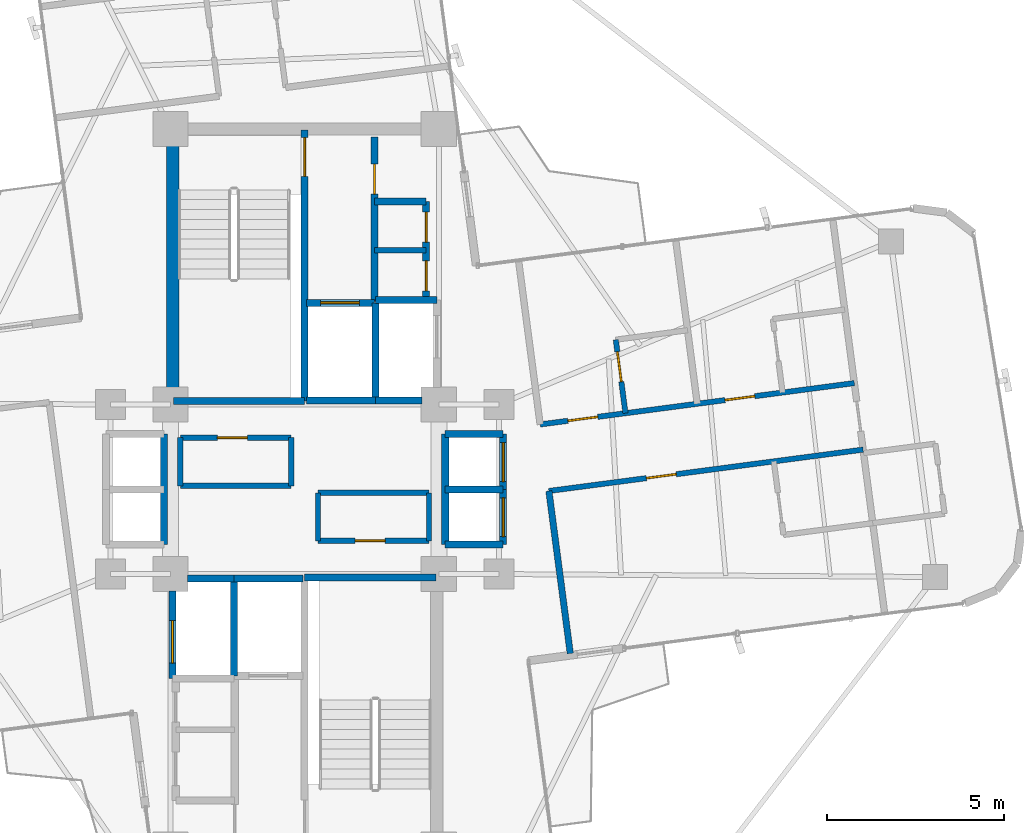
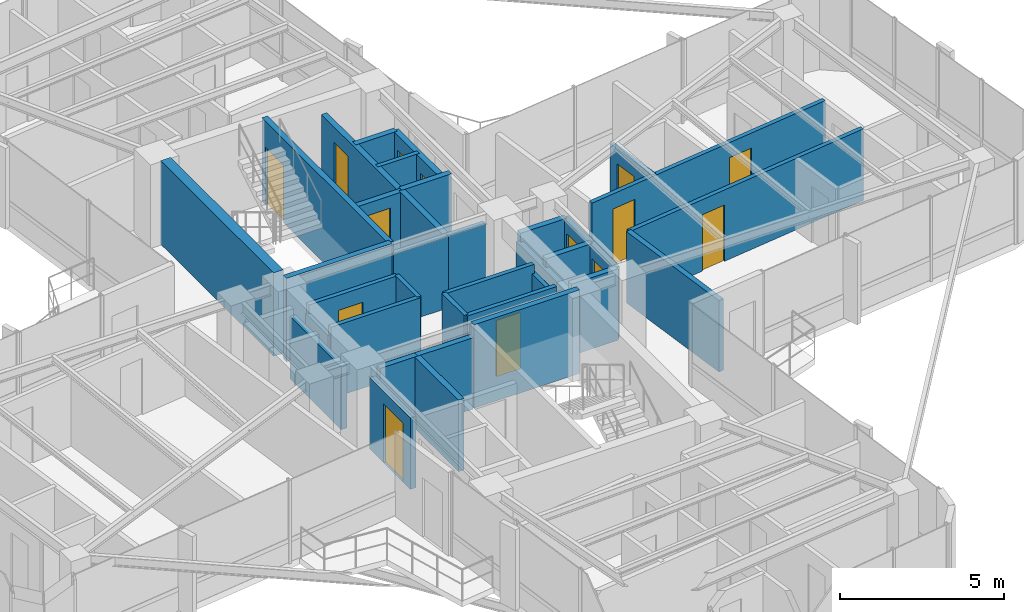
# One storey, part 19 of 22: 36 walls, 14 doors, 14 openings.
"""IFC4 building model written with IfcOpenShell, lengths in metres."""

from ifc_helpers import new_model, si_unit, direction, frame, frame_2d, origin, origin_2d, place, context, subcontext, project, spatial, rectangle, extrude, source, transform, mapped, material, layer, layer_set, type_object, element, fill, save


model = new_model("IFC4")

# Units and contexts
model_context = context("Model", 3, precision=1e-05, world=origin(), true_north=direction((0.0, 1.0)))
body_context = subcontext(model_context, "Body", "Model", "MODEL_VIEW")
ifc_project = project(units=[si_unit("LENGTHUNIT", "METRE"), si_unit("AREAUNIT", "SQUARE_METRE"), si_unit("VOLUMEUNIT", "CUBIC_METRE"), si_unit("PLANEANGLEUNIT", "RADIAN"), si_unit("MASSUNIT", "GRAM", prefix="KILO")], contexts=[model_context])

# Site, building, storey
site_placement = place(None, origin())
site = spatial("IfcSite", under=ifc_project, at=site_placement, CompositionType="ELEMENT")
building_placement = place(site_placement, origin())
building = spatial("IfcBuilding", under=site, at=building_placement, Name="Sahyath Konkavel Grand Hotel", CompositionType="ELEMENT")
storey_placement = place(building_placement, frame((0.0, 0.0, 223.25)))
storey = spatial("IfcBuildingStorey", under=building, at=storey_placement, Name="L62", CompositionType="ELEMENT", Elevation=223.25)

# Wall
ifc_material_1 = material(Name="Concrete C40/50", Category="concrete")
ifc_layer_1 = layer(ifc_material_1, 0.35009765625)
ifc_layer_set_1 = layer_set([ifc_layer_1], Name="Concrete C40/50")
wall_type_1 = type_object("IfcWallType", Name="CWALL-350", PredefinedType="SHEAR", material=ifc_layer_set_1)
wall_1_placement = place(storey_placement, frame((-3.739990234375, 2.85009765625, 0.0), z_axis=(0.0, 0.0, 1.0), x_axis=(0.0, 1.0, 0.0)))
element("IfcWall", 1, at=wall_1_placement, inside=storey, type_object=wall_type_1, Name="L62 North Core Shear Wall W", PredefinedType="SHEAR", context=body_context, shape_type="SweptSolid", body=[
    extrude(rectangle(XDim=6.89990234375, YDim=0.35009765625, at=frame_2d((3.449951171875, 0.0))), origin(), (0.0, 0.0, 1.0), 3.110107421875),
])

# Wall, opening, door
ifc_layer_2 = layer(ifc_material_1, 0.199951171875)
ifc_layer_set_2 = layer_set([ifc_layer_2], Name="Concrete C40/50")
wall_type_2 = type_object("IfcWallType", Name="WLL-CORE-200", PredefinedType="SOLIDWALL", material=ifc_layer_set_2)
wall_2_placement = place(storey_placement, frame((0.0, 2.5, 0.0), z_axis=(0.0, 0.0, 1.0), x_axis=(0.0, 1.0, 0.0)))
wall_2 = element("IfcWall", 2, at=wall_2_placement, inside=storey, type_object=wall_type_2, Name="L62 Stair ST-1 Shaft Wall E", PredefinedType="SOLIDWALL", context=body_context, shape_type="SweptSolid", body=[
    extrude(rectangle(XDim=7.679931640625, YDim=0.199951171875, at=frame_2d((3.83984375, 0.0))), origin(), (0.0, 0.0, 1.0), 3.110107421875),
])
opening_1_placement = place(wall_2_placement, frame((6.360107421875, 0.0, 0.0)))
opening_1 = element("IfcOpeningElement", 3, at=opening_1_placement, cuts=wall_2, Name="Opening D-F12B", PredefinedType="OPENING", context=body_context, shape_type="SweptSolid", body=[
    extrude(rectangle(XDim=1.10009765625, YDim=2.14990234375, at=frame_2d((0.550048828125, 1.074951171875))), frame((0.0, 0.10986328125, 0.0), z_axis=(0.0, -1.0, 0.0), x_axis=(1.0, 0.0, 0.0)), (0.0, 0.0, 1.0), 0.219970703125),
])
ifc_material_2 = material(Name="Steel E350 Smokeproof Fire Door", Category="steel")
door_type_1 = type_object("IfcDoorType", Name="DR-FD120-1100", OperationType="NOTDEFINED", PredefinedType="DOOR", material=ifc_material_2)
shared_shape_1 = source(origin(), body_context, "Body", "SweptSolid", [
    extrude(rectangle(XDim=1.10009765625, YDim=0.050048828125, at=origin_2d()), origin(), (0.0, 0.0, 1.0), 2.14990234375),
])
door_1_placement = place(opening_1_placement, frame((0.550048828125, 0.0, 0.0)))
door_1 = element("IfcDoor", 4, at=door_1_placement, inside=storey, type_object=door_type_1, Name="L62 Stair ST-1 Fire Door", OperationType="SINGLE_SWING_RIGHT", OverallHeight=2.14990234375, OverallWidth=1.10009765625, PredefinedType="DOOR", context=body_context, shape_type="MappedRepresentation", body=[
    mapped(shared_shape_1, transform((0.0, 0.0, 0.0), scale=1.0)),
])
fill(opening_1, door_1)

# Walls
for number, where, z_axis, x_axis, name in (
    (5, (-3.719970703125, 2.5, 0.0), (0.0, 0.0, 1.0), (1.0, 0.0, 0.0), "L62 Stair ST-1 Shaft Wall S"),
    (6, (0.0, -2.5, 0.0), (0.0, 0.0, 1.0), (1.0, 0.0, 0.0), "L62 Stair ST-2 Shaft Wall N"),
):
    element("IfcWall", number, at=place(storey_placement, frame(where, z_axis=z_axis, x_axis=x_axis)), inside=storey, type_object=wall_type_2, Name=name, PredefinedType="SOLIDWALL", context=body_context, shape_type="SweptSolid", body=[
        extrude(rectangle(XDim=3.719970703125, YDim=0.199951171875, at=frame_2d((1.85986328125, 0.0))), origin(), (0.0, 0.0, 1.0), 3.110107421875),
    ])

# Wall, opening, door
wall_3_placement = place(storey_placement, frame((1.97998046875, 5.320068359375, 0.0), z_axis=(0.0, 0.0, 1.0), x_axis=(0.0, 1.0, 0.0)))
wall_3 = element("IfcWall", 7, at=wall_3_placement, inside=storey, type_object=wall_type_2, Name="L62 North Firefighting Lobby Wall E", PredefinedType="SOLIDWALL", context=body_context, shape_type="SweptSolid", body=[
    extrude(rectangle(XDim=4.659912109375, YDim=0.199951171875, at=frame_2d((2.330078125, 0.0))), origin(), (0.0, 0.0, 1.0), 2.659912109375),
])
opening_2_placement = place(wall_3_placement, frame((3.0400390625, 0.0, 0.0)))
opening_2 = element("IfcOpeningElement", 8, at=opening_2_placement, cuts=wall_3, Name="Opening D-F12D", PredefinedType="OPENING", context=body_context, shape_type="SweptSolid", body=[
    extrude(rectangle(XDim=0.85009765625, YDim=2.10009765625, at=frame_2d((0.425048828125, 1.050048828125))), frame((0.0, 0.10986328125, 0.0), z_axis=(0.0, -1.0, 0.0), x_axis=(1.0, 0.0, 0.0)), (0.0, 0.0, 1.0), 0.219970703125),
])
ifc_material_3 = material(Name="Steel E350 Core Fire Door", Category="steel")
door_type_2 = type_object("IfcDoorType", Name="DR-FD120-850", OperationType="NOTDEFINED", PredefinedType="DOOR", material=ifc_material_3)
shared_shape_2 = source(origin(), body_context, "Body", "SweptSolid", [
    extrude(rectangle(XDim=0.85009765625, YDim=0.050048828125, at=origin_2d()), origin(), (0.0, 0.0, 1.0), 2.10009765625),
])
door_2_placement = place(opening_2_placement, frame((0.425048828125, 0.0, 0.0)))
door_2 = element("IfcDoor", 9, at=door_2_placement, inside=storey, type_object=door_type_2, Name="L62 North Firefighting Lobby Door", OperationType="SINGLE_SWING_RIGHT", OverallHeight=2.10009765625, OverallWidth=0.85009765625, PredefinedType="DOOR", context=body_context, shape_type="MappedRepresentation", body=[
    mapped(shared_shape_2, transform((0.0, 0.0, 0.0), scale=1.0)),
])
fill(opening_2, door_2)

# Walls
wall_4_placement = place(storey_placement, frame((2.0, 2.5, 0.0), z_axis=(0.0, 0.0, 1.0), x_axis=(0.0, 1.0, 0.0)))
element("IfcWall", 10, at=wall_4_placement, inside=storey, type_object=wall_type_2, Name="L62 Partition SH-FFL1-E", PredefinedType="SOLIDWALL", context=body_context, shape_type="SweptSolid", body=[
    extrude(rectangle(XDim=2.780029296875, YDim=0.199951171875, at=frame_2d((1.39013671875, 0.0))), origin(), (0.0, 0.0, 1.0), 2.659912109375),
])
wall_5_placement = place(storey_placement, frame((0.050048828125, 2.52001953125, 0.0), z_axis=(0.0, 0.0, 1.0), x_axis=(1.0, 0.0, 0.0)))
element("IfcWall", 11, at=wall_5_placement, inside=storey, type_object=wall_type_2, Name="L62 Partition SH-FFL1-S", PredefinedType="SOLIDWALL", context=body_context, shape_type="SweptSolid", body=[
    extrude(rectangle(XDim=1.949951171875, YDim=0.199951171875, at=frame_2d((0.97509765625, 0.0))), origin(), (0.0, 0.0, 1.0), 2.659912109375),
])

# Wall, opening, door
wall_6_placement = place(storey_placement, frame((0.050048828125, 5.280029296875, 0.0), z_axis=(0.0, 0.0, 1.0), x_axis=(1.0, 0.0, 0.0)))
wall_6 = element("IfcWall", 12, at=wall_6_placement, inside=storey, type_object=wall_type_2, Name="L62 Partition SH-FFL1-N", PredefinedType="SOLIDWALL", context=body_context, shape_type="SweptSolid", body=[
    extrude(rectangle(XDim=1.929931640625, YDim=0.199951171875, at=frame_2d((0.96484375, 0.0))), origin(), (0.0, 0.0, 1.0), 2.659912109375),
])
opening_3_placement = place(wall_6_placement, frame((0.39990234375, 0.0, 0.0)))
opening_3 = element("IfcOpeningElement", 13, at=opening_3_placement, cuts=wall_6, Name="Opening LD-11", PredefinedType="OPENING", context=body_context, shape_type="SweptSolid", body=[
    extrude(rectangle(XDim=1.10009765625, YDim=2.199951171875, at=frame_2d((0.550048828125, 1.10009765625))), frame((0.0, 0.10986328125, 0.0), z_axis=(0.0, -1.0, 0.0), x_axis=(1.0, 0.0, 0.0)), (0.0, 0.0, 1.0), 0.219970703125),
])
ifc_material_4 = material(Name="Bronze Lift Landing Door 1100")
door_type_3 = type_object("IfcDoorType", Name="DR-LIFT-1100", OperationType="DOUBLE_DOOR_SLIDING", PredefinedType="DOOR", material=ifc_material_4)
shared_shape_3 = source(origin(), body_context, "Body", "SweptSolid", [
    extrude(rectangle(XDim=1.10009765625, YDim=0.050048828125, at=origin_2d()), origin(), (0.0, 0.0, 1.0), 2.199951171875),
])
door_3_placement = place(opening_3_placement, frame((0.550048828125, 0.0, 0.0)))
door_3 = element("IfcDoor", 14, at=door_3_placement, inside=storey, type_object=door_type_3, Name="L62 Lift FFL-1 Landing Door", OperationType="DOUBLE_DOOR_SLIDING", OverallHeight=2.199951171875, OverallWidth=1.10009765625, PredefinedType="DOOR", context=body_context, shape_type="MappedRepresentation", body=[
    mapped(shared_shape_3, transform((0.0, 0.0, 0.0), scale=1.0)),
])
fill(opening_3, door_3)

# Walls
wall_7_placement = place(storey_placement, frame((-2.0, -5.280029296875, 0.0), z_axis=(0.0, 0.0, 1.0), x_axis=(0.0, 1.0, 0.0)))
element("IfcWall", 15, at=wall_7_placement, inside=storey, type_object=wall_type_2, Name="L62 Partition SH-FFL2-W", PredefinedType="SOLIDWALL", context=body_context, shape_type="SweptSolid", body=[
    extrude(rectangle(XDim=2.780029296875, YDim=0.199951171875, at=frame_2d((1.39013671875, 0.0))), origin(), (0.0, 0.0, 1.0), 2.659912109375),
])
wall_8_placement = place(storey_placement, frame((-2.0, -2.52001953125, 0.0), z_axis=(0.0, 0.0, 1.0), x_axis=(1.0, 0.0, 0.0)))
element("IfcWall", 16, at=wall_8_placement, inside=storey, type_object=wall_type_2, Name="L62 Partition SH-FFL2-N", PredefinedType="SOLIDWALL", context=body_context, shape_type="SweptSolid", body=[
    extrude(rectangle(XDim=1.949951171875, YDim=0.199951171875, at=frame_2d((0.97509765625, 0.0))), origin(), (0.0, 0.0, 1.0), 2.659912109375),
])
wall_9_placement = place(storey_placement, frame((2.0, 2.52001953125, 0.0), z_axis=(0.0, 0.0, 1.0), x_axis=(1.0, 0.0, 0.0)))
element("IfcWall", 17, at=wall_9_placement, inside=storey, type_object=wall_type_2, Name="L62 Partition SH-SVL1-S", PredefinedType="SOLIDWALL", context=body_context, shape_type="SweptSolid", body=[
    extrude(rectangle(XDim=1.320068359375, YDim=0.199951171875, at=frame_2d((0.66015625, 0.0))), origin(), (0.0, 0.0, 1.0), 2.659912109375),
])
wall_10_placement = place(storey_placement, frame((2.0, 5.360107421875, 0.0), z_axis=(0.0, 0.0, 1.0), x_axis=(1.0, 0.0, 0.0)))
element("IfcWall", 18, at=wall_10_placement, inside=storey, type_object=wall_type_2, Name="L62 Partition SH-SVL1-N", PredefinedType="SOLIDWALL", context=body_context, shape_type="SweptSolid", body=[
    extrude(rectangle(XDim=1.739990234375, YDim=0.199951171875, at=frame_2d((0.8701171875, 0.0))), origin(), (0.0, 0.0, 1.0), 2.659912109375),
])
wall_11_placement = place(storey_placement, frame((-3.320068359375, -2.52001953125, 0.0), z_axis=(0.0, 0.0, 1.0), x_axis=(1.0, 0.0, 0.0)))
element("IfcWall", 19, at=wall_11_placement, inside=storey, type_object=wall_type_2, Name="L62 Partition SH-SVL2-N", PredefinedType="SOLIDWALL", context=body_context, shape_type="SweptSolid", body=[
    extrude(rectangle(XDim=1.320068359375, YDim=0.199951171875, at=frame_2d((0.66015625, 0.0))), origin(), (0.0, 0.0, 1.0), 2.659912109375),
])

# Wall, opening, door
wall_12_placement = place(storey_placement, frame((-3.739990234375, -5.360107421875, 0.0), z_axis=(0.0, 0.0, 1.0), x_axis=(0.0, 1.0, 0.0)))
wall_12 = element("IfcWall", 20, at=wall_12_placement, inside=storey, type_object=wall_type_2, Name="L62 Partition SH-SVL2-W", PredefinedType="SOLIDWALL", context=body_context, shape_type="SweptSolid", body=[
    extrude(rectangle(XDim=2.480224609375, YDim=0.199951171875, at=frame_2d((1.240234375, 0.0))), origin(), (0.0, 0.0, 1.0), 2.659912109375),
])
opening_4_placement = place(wall_12_placement, frame((0.43994140625, 0.0, 0.0)))
opening_4 = element("IfcOpeningElement", 21, at=opening_4_placement, cuts=wall_12, Name="Opening LD-12", PredefinedType="OPENING", context=body_context, shape_type="SweptSolid", body=[
    extrude(rectangle(XDim=1.199951171875, YDim=2.199951171875, at=frame_2d((0.60009765625, 1.10009765625))), frame((0.0, 0.10986328125, 0.0), z_axis=(0.0, -1.0, 0.0), x_axis=(1.0, 0.0, 0.0)), (0.0, 0.0, 1.0), 0.219970703125),
])
ifc_material_5 = material(Name="Stainless Steel Lift Landing Door 1200", Category="steel")
door_type_4 = type_object("IfcDoorType", Name="DR-LIFT-1200", OperationType="DOUBLE_DOOR_SLIDING", PredefinedType="DOOR", material=ifc_material_5)
shared_shape_4 = source(origin(), body_context, "Body", "SweptSolid", [
    extrude(rectangle(XDim=1.199951171875, YDim=0.050048828125, at=origin_2d()), origin(), (0.0, 0.0, 1.0), 2.199951171875),
])
door_4_placement = place(opening_4_placement, frame((0.60009765625, 0.0, 0.0)))
door_4 = element("IfcDoor", 22, at=door_4_placement, inside=storey, type_object=door_type_4, Name="L62 Service Lift SVL-2 Landing Door", OperationType="DOUBLE_DOOR_SLIDING", OverallHeight=2.199951171875, OverallWidth=1.199951171875, PredefinedType="DOOR", context=body_context, shape_type="MappedRepresentation", body=[
    mapped(shared_shape_4, transform((0.0, 0.0, 0.0), scale=1.0)),
])
fill(opening_4, door_4)

# Walls
wall_13_placement = place(storey_placement, frame((3.97998046875, -1.56005859375, 0.0), z_axis=(0.0, 0.0, 1.0), x_axis=(0.0, 1.0, 0.0)))
element("IfcWall", 23, at=wall_13_placement, inside=storey, type_object=wall_type_2, Name="L62 Partition SH-PL56-W", PredefinedType="SOLIDWALL", context=body_context, shape_type="SweptSolid", body=[
    extrude(rectangle(XDim=3.1201171875, YDim=0.199951171875, at=frame_2d((1.56005859375, 0.0))), origin(), (0.0, 0.0, 1.0), 2.330078125),
])
for number, where, z_axis, x_axis, name in (
    (24, (3.97998046875, 1.56005859375, 0.0), (0.0, 0.0, 1.0), (1.0, 0.0, 0.0), "L62 Partition SH-PL56-N"),
    (25, (3.97998046875, -1.56005859375, 0.0), (0.0, 0.0, 1.0), (1.0, 0.0, 0.0), "L62 Partition SH-PL56-S"),
    (26, (3.97998046875, 0.0, 0.0), (0.0, 0.0, 1.0), (1.0, 0.0, 0.0), "L62 Partition SH-PL56-M"),
):
    element("IfcWall", number, at=place(storey_placement, frame(where, z_axis=z_axis, x_axis=x_axis)), inside=storey, type_object=wall_type_2, Name=name, PredefinedType="SOLIDWALL", context=body_context, shape_type="SweptSolid", body=[
        extrude(rectangle(XDim=1.64013671875, YDim=0.199951171875, at=frame_2d((0.820068359375, 0.0))), origin(), (0.0, 0.0, 1.0), 2.659912109375),
    ])

# Wall, opening, door
wall_14_placement = place(storey_placement, frame((5.6201171875, 0.0, 0.0), z_axis=(0.0, 0.0, 1.0), x_axis=(0.0, 1.0, 0.0)))
wall_14 = element("IfcWall", 27, at=wall_14_placement, inside=storey, type_object=wall_type_2, Name="L62 Partition SH-PL5-E", PredefinedType="SOLIDWALL", context=body_context, shape_type="SweptSolid", body=[
    extrude(rectangle(XDim=1.56005859375, YDim=0.199951171875, at=frame_2d((0.780029296875, 0.0))), origin(), (0.0, 0.0, 1.0), 2.659912109375),
])
opening_5_placement = place(wall_14_placement, frame((0.219970703125, 0.0, 0.0)))
opening_5 = element("IfcOpeningElement", 28, at=opening_5_placement, cuts=wall_14, Name="Opening LD-11", PredefinedType="OPENING", context=body_context, shape_type="SweptSolid", body=[
    extrude(rectangle(XDim=1.10009765625, YDim=2.199951171875, at=frame_2d((0.550048828125, 1.10009765625))), frame((0.0, 0.10986328125, 0.0), z_axis=(0.0, -1.0, 0.0), x_axis=(1.0, 0.0, 0.0)), (0.0, 0.0, 1.0), 0.219970703125),
])
door_5_placement = place(opening_5_placement, frame((0.550048828125, 0.0, 0.0)))
door_5 = element("IfcDoor", 29, at=door_5_placement, inside=storey, type_object=door_type_3, Name="L62 High-Rise Lift PL-5 Landing Door", OperationType="DOUBLE_DOOR_SLIDING", OverallHeight=2.199951171875, OverallWidth=1.10009765625, PredefinedType="DOOR", context=body_context, shape_type="MappedRepresentation", body=[
    mapped(shared_shape_3, transform((0.0, 0.0, 0.0), scale=1.0)),
])
fill(opening_5, door_5)

wall_15_placement = place(storey_placement, frame((5.6201171875, -1.56005859375, 0.0), z_axis=(0.0, 0.0, 1.0), x_axis=(0.0, 1.0, 0.0)))
wall_15 = element("IfcWall", 30, at=wall_15_placement, inside=storey, type_object=wall_type_2, Name="L62 Partition SH-PL6-E", PredefinedType="SOLIDWALL", context=body_context, shape_type="SweptSolid", body=[
    extrude(rectangle(XDim=1.56005859375, YDim=0.199951171875, at=frame_2d((0.780029296875, 0.0))), origin(), (0.0, 0.0, 1.0), 2.659912109375),
])
opening_6_placement = place(wall_15_placement, frame((0.219970703125, 0.0, 0.0)))
opening_6 = element("IfcOpeningElement", 31, at=opening_6_placement, cuts=wall_15, Name="Opening LD-11", PredefinedType="OPENING", context=body_context, shape_type="SweptSolid", body=[
    extrude(rectangle(XDim=1.10009765625, YDim=2.199951171875, at=frame_2d((0.550048828125, 1.10009765625))), frame((0.0, 0.10986328125, 0.0), z_axis=(0.0, -1.0, 0.0), x_axis=(1.0, 0.0, 0.0)), (0.0, 0.0, 1.0), 0.219970703125),
])
door_6_placement = place(opening_6_placement, frame((0.550048828125, 0.0, 0.0)))
door_6 = element("IfcDoor", 32, at=door_6_placement, inside=storey, type_object=door_type_3, Name="L62 High-Rise Lift PL-6 Landing Door", OperationType="DOUBLE_DOOR_SLIDING", OverallHeight=2.199951171875, OverallWidth=1.10009765625, PredefinedType="DOOR", context=body_context, shape_type="MappedRepresentation", body=[
    mapped(shared_shape_3, transform((0.0, 0.0, 0.0), scale=1.0)),
])
fill(opening_6, door_6)

# Wall
wall_16_placement = place(storey_placement, frame((-3.97998046875, -1.56005859375, 0.0), z_axis=(0.0, 0.0, 1.0), x_axis=(0.0, 1.0, 0.0)))
element("IfcWall", 33, at=wall_16_placement, inside=storey, type_object=wall_type_2, Name="L62 Partition SH-SL12-E", PredefinedType="SOLIDWALL", context=body_context, shape_type="SweptSolid", body=[
    extrude(rectangle(XDim=3.1201171875, YDim=0.199951171875, at=frame_2d((1.56005859375, 0.0))), origin(), (0.0, 0.0, 1.0), 2.330078125),
])

# Wall, openings, doors
wall_17_placement = place(storey_placement, frame((3.43994140625, 5.3798828125, 0.0), z_axis=(0.0, 0.0, 1.0), x_axis=(0.0, 1.0, 0.0)))
wall_17 = element("IfcWall", 34, at=wall_17_placement, inside=storey, type_object=wall_type_2, Name="L62 Reclaimed North Core Wall E", PredefinedType="SOLIDWALL", context=body_context, shape_type="SweptSolid", body=[
    extrude(rectangle(XDim=2.77001953125, YDim=0.199951171875, at=frame_2d((1.385009765625, 0.0))), origin(), (0.0, 0.0, 1.0), 2.659912109375),
])
opening_7_placement = place(wall_17_placement, frame((0.239990234375, 0.0, 0.0)))
opening_7 = element("IfcOpeningElement", 35, at=opening_7_placement, cuts=wall_17, Name="Opening D-F06D", PredefinedType="OPENING", context=body_context, shape_type="SweptSolid", body=[
    extrude(rectangle(XDim=0.85009765625, YDim=2.10009765625, at=frame_2d((0.425048828125, 1.050048828125))), frame((0.0, 0.10986328125, 0.0), z_axis=(0.0, -1.0, 0.0), x_axis=(1.0, 0.0, 0.0)), (0.0, 0.0, 1.0), 0.219970703125),
])
opening_8_placement = place(wall_17_placement, frame((1.6201171875, 0.0, 0.0)))
opening_8 = element("IfcOpeningElement", 36, at=opening_8_placement, cuts=wall_17, Name="Opening D-F06D", PredefinedType="OPENING", context=body_context, shape_type="SweptSolid", body=[
    extrude(rectangle(XDim=0.85009765625, YDim=2.10009765625, at=frame_2d((0.425048828125, 1.050048828125))), frame((0.0, 0.10986328125, 0.0), z_axis=(0.0, -1.0, 0.0), x_axis=(1.0, 0.0, 0.0)), (0.0, 0.0, 1.0), 0.219970703125),
])
ifc_material_6 = material(Name="Fire-Rated Shaft Access Door")
door_type_5 = type_object("IfcDoorType", Name="DR-FD60-850", OperationType="NOTDEFINED", PredefinedType="DOOR", material=ifc_material_6)
door_7_placement = place(opening_7_placement, frame((0.425048828125, 0.0, 0.0)))
door_7 = element("IfcDoor", 37, at=door_7_placement, inside=storey, type_object=door_type_5, Name="L62 Door NC-REC1-D", OperationType="SINGLE_SWING_RIGHT", OverallHeight=2.10009765625, OverallWidth=0.85009765625, PredefinedType="DOOR", context=body_context, shape_type="MappedRepresentation", body=[
    mapped(shared_shape_2, transform((0.0, 0.0, 0.0), scale=1.0)),
])
fill(opening_7, door_7)
door_8_placement = place(opening_8_placement, frame((0.425048828125, 0.0, 0.0)))
door_8 = element("IfcDoor", 38, at=door_8_placement, inside=storey, type_object=door_type_5, Name="L62 Door NC-REC2-D", OperationType="SINGLE_SWING_LEFT", OverallHeight=2.10009765625, OverallWidth=0.85009765625, PredefinedType="DOOR", context=body_context, shape_type="MappedRepresentation", body=[
    mapped(shared_shape_2, transform((0.0, 0.0, 0.0), scale=1.0)),
])
fill(opening_8, door_8)

# Walls
wall_18_placement = place(storey_placement, frame((1.97998046875, 8.14990234375, 0.0), z_axis=(0.0, 0.0, 1.0), x_axis=(1.0, 0.0, 0.0)))
element("IfcWall", 39, at=wall_18_placement, inside=storey, type_object=wall_type_2, Name="L62 Partition NC-REC-N", PredefinedType="SOLIDWALL", context=body_context, shape_type="SweptSolid", body=[
    extrude(rectangle(XDim=1.4599609375, YDim=0.199951171875, at=frame_2d((0.72998046875, 0.0))), origin(), (0.0, 0.0, 1.0), 2.659912109375),
])
ifc_material_7 = material(Name="Twin-Stud Acoustic Gypsum Plasterboard Partition")
ifc_layer_3 = layer(ifc_material_7, 0.179931640625)
ifc_layer_set_3 = layer_set([ifc_layer_3], Name="Twin-Stud Acoustic Gypsum Plasterboard Partition")
wall_type_3 = type_object("IfcWallType", Name="WLL-DEMISE-180", PredefinedType="PARTITIONING", material=ifc_layer_set_3)
wall_19_placement = place(storey_placement, frame((7.521240234375, -4.650146484375, 0.0), z_axis=(0.0, 0.0, 1.0), x_axis=(-0.130537501998, 0.991443372348, 0.0)))
element("IfcWall", 40, at=wall_19_placement, inside=storey, type_object=wall_type_3, Name="L62 Partition E-INR", PredefinedType="PARTITIONING", context=body_context, shape_type="SweptSolid", body=[
    extrude(rectangle(XDim=4.64208984375, YDim=0.179931640625, at=frame_2d((2.321044921875, 0.0))), origin(), (0.0, 0.0, 1.0), 2.659912109375),
])
ifc_material_8 = material(Name="Fire-Rated Gypsum Plasterboard Partition")
ifc_layer_4 = layer(ifc_material_8, 0.14990234375)
ifc_layer_set_4 = layer_set([ifc_layer_4], Name="Fire-Rated Gypsum Plasterboard Partition")
wall_type_4 = type_object("IfcWallType", Name="WLL-PART-150", PredefinedType="PARTITIONING", material=ifc_layer_set_4)
wall_20_placement = place(storey_placement, frame((1.97998046875, 6.77001953125, 0.0), z_axis=(0.0, 0.0, 1.0), x_axis=(1.0, 0.0, 0.0)))
element("IfcWall", 41, at=wall_20_placement, inside=storey, type_object=wall_type_4, Name="L62 Partition NC-REC-M1", PredefinedType="PARTITIONING", context=body_context, shape_type="SweptSolid", body=[
    extrude(rectangle(XDim=1.4599609375, YDim=0.14990234375, at=frame_2d((0.72998046875, 0.0))), origin(), (0.0, 0.0, 1.0), 2.659912109375),
])
wall_21_placement = place(storey_placement, frame((-3.52001953125, 0.10009765625, 0.0), z_axis=(0.0, 0.0, 1.0), x_axis=(1.0, 0.0, 0.0)))
element("IfcWall", 42, at=wall_21_placement, inside=storey, type_object=wall_type_4, Name="L62 Partition CC-3NWS", PredefinedType="PARTITIONING", context=body_context, shape_type="SweptSolid", body=[
    extrude(rectangle(XDim=3.14013671875, YDim=0.14990234375, at=frame_2d((1.570068359375, 0.0))), origin(), (0.0, 0.0, 1.0), 2.659912109375),
])

# Wall, opening, door
wall_22_placement = place(storey_placement, frame((-3.52001953125, 1.4599609375, 0.0), z_axis=(0.0, 0.0, 1.0), x_axis=(1.0, 0.0, 0.0)))
wall_22 = element("IfcWall", 43, at=wall_22_placement, inside=storey, type_object=wall_type_4, Name="L62 Partition CC-3NWN", PredefinedType="PARTITIONING", context=body_context, shape_type="SweptSolid", body=[
    extrude(rectangle(XDim=3.14013671875, YDim=0.14990234375, at=frame_2d((1.570068359375, 0.0))), origin(), (0.0, 0.0, 1.0), 2.659912109375),
])
opening_9_placement = place(wall_22_placement, frame((1.050048828125, 0.0, 0.0)))
opening_9 = element("IfcOpeningElement", 44, at=opening_9_placement, cuts=wall_22, Name="Opening D-F06D", PredefinedType="OPENING", context=body_context, shape_type="SweptSolid", body=[
    extrude(rectangle(XDim=0.85009765625, YDim=2.10009765625, at=frame_2d((0.425048828125, 1.050048828125))), frame((0.0, 0.0849609375, 0.0), z_axis=(0.0, -1.0, 0.0), x_axis=(1.0, 0.0, 0.0)), (0.0, 0.0, 1.0), 0.169921875),
])
door_9_placement = place(opening_9_placement, frame((0.425048828125, 0.0, 0.0)))
door_9 = element("IfcDoor", 45, at=door_9_placement, inside=storey, type_object=door_type_5, Name="L62 Door CC-D3NW", OperationType="SINGLE_SWING_RIGHT", OverallHeight=2.10009765625, OverallWidth=0.85009765625, PredefinedType="DOOR", context=body_context, shape_type="MappedRepresentation", body=[
    mapped(shared_shape_2, transform((0.0, 0.0, 0.0), scale=1.0)),
])
fill(opening_9, door_9)

# Walls
wall_23_placement = place(storey_placement, frame((-3.52001953125, 0.10009765625, 0.0), z_axis=(0.0, 0.0, 1.0), x_axis=(0.0, 1.0, 0.0)))
element("IfcWall", 46, at=wall_23_placement, inside=storey, type_object=wall_type_4, Name="L62 Partition CC-3NWW", PredefinedType="PARTITIONING", context=body_context, shape_type="SweptSolid", body=[
    extrude(rectangle(XDim=1.35986328125, YDim=0.14990234375, at=frame_2d((0.679931640625, 0.0))), origin(), (0.0, 0.0, 1.0), 2.330078125),
])
wall_24_placement = place(storey_placement, frame((-0.3798828125, 0.10009765625, 0.0), z_axis=(0.0, 0.0, 1.0), x_axis=(0.0, 1.0, 0.0)))
element("IfcWall", 47, at=wall_24_placement, inside=storey, type_object=wall_type_4, Name="L62 Partition CC-3NWE", PredefinedType="PARTITIONING", context=body_context, shape_type="SweptSolid", body=[
    extrude(rectangle(XDim=1.35986328125, YDim=0.14990234375, at=frame_2d((0.679931640625, 0.0))), origin(), (0.0, 0.0, 1.0), 2.659912109375),
])
wall_25_placement = place(storey_placement, frame((0.3798828125, -0.10009765625, 0.0), z_axis=(0.0, 0.0, 1.0), x_axis=(1.0, 0.0, 0.0)))
element("IfcWall", 48, at=wall_25_placement, inside=storey, type_object=wall_type_4, Name="L62 Partition CC-3SEN", PredefinedType="PARTITIONING", context=body_context, shape_type="SweptSolid", body=[
    extrude(rectangle(XDim=3.14013671875, YDim=0.14990234375, at=frame_2d((1.570068359375, 0.0))), origin(), (0.0, 0.0, 1.0), 2.659912109375),
])

# Wall, opening, door
wall_26_placement = place(storey_placement, frame((0.3798828125, -1.4599609375, 0.0), z_axis=(0.0, 0.0, 1.0), x_axis=(1.0, 0.0, 0.0)))
wall_26 = element("IfcWall", 49, at=wall_26_placement, inside=storey, type_object=wall_type_4, Name="L62 Partition CC-3SES", PredefinedType="PARTITIONING", context=body_context, shape_type="SweptSolid", body=[
    extrude(rectangle(XDim=3.14013671875, YDim=0.14990234375, at=frame_2d((1.570068359375, 0.0))), origin(), (0.0, 0.0, 1.0), 2.659912109375),
])
opening_10_placement = place(wall_26_placement, frame((1.050048828125, 0.0, 0.0)))
opening_10 = element("IfcOpeningElement", 50, at=opening_10_placement, cuts=wall_26, Name="Opening D-F06D", PredefinedType="OPENING", context=body_context, shape_type="SweptSolid", body=[
    extrude(rectangle(XDim=0.85009765625, YDim=2.10009765625, at=frame_2d((0.425048828125, 1.050048828125))), frame((0.0, 0.0849609375, 0.0), z_axis=(0.0, -1.0, 0.0), x_axis=(1.0, 0.0, 0.0)), (0.0, 0.0, 1.0), 0.169921875),
])
door_10_placement = place(opening_10_placement, frame((0.425048828125, 0.0, 0.0)))
door_10 = element("IfcDoor", 51, at=door_10_placement, inside=storey, type_object=door_type_5, Name="L62 Door CC-D3SE", OperationType="SINGLE_SWING_LEFT", OverallHeight=2.10009765625, OverallWidth=0.85009765625, PredefinedType="DOOR", context=body_context, shape_type="MappedRepresentation", body=[
    mapped(shared_shape_2, transform((0.0, 0.0, 0.0), scale=1.0)),
])
fill(opening_10, door_10)

# Walls
wall_27_placement = place(storey_placement, frame((0.3798828125, -1.4599609375, 0.0), z_axis=(0.0, 0.0, 1.0), x_axis=(0.0, 1.0, 0.0)))
element("IfcWall", 52, at=wall_27_placement, inside=storey, type_object=wall_type_4, Name="L62 Partition CC-3SEW", PredefinedType="PARTITIONING", context=body_context, shape_type="SweptSolid", body=[
    extrude(rectangle(XDim=1.35986328125, YDim=0.14990234375, at=frame_2d((0.679931640625, 0.0))), origin(), (0.0, 0.0, 1.0), 2.659912109375),
])
wall_28_placement = place(storey_placement, frame((3.52001953125, -1.4599609375, 0.0), z_axis=(0.0, 0.0, 1.0), x_axis=(0.0, 1.0, 0.0)))
element("IfcWall", 53, at=wall_28_placement, inside=storey, type_object=wall_type_4, Name="L62 Partition CC-3SEE", PredefinedType="PARTITIONING", context=body_context, shape_type="SweptSolid", body=[
    extrude(rectangle(XDim=1.35986328125, YDim=0.14990234375, at=frame_2d((0.679931640625, 0.0))), origin(), (0.0, 0.0, 1.0), 2.330078125),
])

# Wall, openings, doors
wall_29_placement = place(storey_placement, frame((6.66748046875, 1.8359375, 0.0), z_axis=(0.0, 0.0, 1.0), x_axis=(0.991445866102, 0.130518560325, 0.0)))
wall_29 = element("IfcWall", 54, at=wall_29_placement, inside=storey, type_object=wall_type_4, Name="L62 Partition E-CL", PredefinedType="PARTITIONING", context=body_context, shape_type="SweptSolid", body=[
    extrude(rectangle(XDim=8.972900390625, YDim=0.14990234375, at=frame_2d((4.486328125, 0.0))), origin(), (0.0, 0.0, 1.0), 2.659912109375),
])
opening_11_placement = place(wall_29_placement, frame((0.7939453125, 0.0, 0.0)))
opening_11 = element("IfcOpeningElement", 55, at=opening_11_placement, cuts=wall_29, Name="Opening D-F06D", PredefinedType="OPENING", context=body_context, shape_type="SweptSolid", body=[
    extrude(rectangle(XDim=0.85009765625, YDim=2.10009765625, at=frame_2d((0.425048828125, 1.050048828125))), frame((0.0, 0.0849609375, 0.0), z_axis=(0.0, -1.0, 0.0), x_axis=(1.0, 0.0, 0.0)), (0.0, 0.0, 1.0), 0.169921875),
])
opening_12_placement = place(wall_29_placement, frame((5.280029296875, 0.0, 0.0)))
opening_12 = element("IfcOpeningElement", 56, at=opening_12_placement, cuts=wall_29, Name="Opening D-F06D", PredefinedType="OPENING", context=body_context, shape_type="SweptSolid", body=[
    extrude(rectangle(XDim=0.85009765625, YDim=2.10009765625, at=frame_2d((0.425048828125, 1.050048828125))), frame((0.0, 0.0849609375, 0.0), z_axis=(0.0, -1.0, 0.0), x_axis=(1.0, 0.0, 0.0)), (0.0, 0.0, 1.0), 0.169921875),
])
door_11_placement = place(opening_11_placement, frame((0.425048828125, 0.0, 0.0)))
door_11 = element("IfcDoor", 57, at=door_11_placement, inside=storey, type_object=door_type_5, Name="L62 Door E-E4L1-ED", OperationType="SINGLE_SWING_LEFT", OverallHeight=2.10009765625, OverallWidth=0.85009765625, PredefinedType="DOOR", context=body_context, shape_type="MappedRepresentation", body=[
    mapped(shared_shape_2, transform((0.0, 0.0, 0.0), scale=1.0)),
])
fill(opening_11, door_11)
door_12_placement = place(opening_12_placement, frame((0.425048828125, 0.0, 0.0)))
door_12 = element("IfcDoor", 58, at=door_12_placement, inside=storey, type_object=door_type_5, Name="L62 Door E-E4L2-ED", OperationType="SINGLE_SWING_LEFT", OverallHeight=2.10009765625, OverallWidth=0.85009765625, PredefinedType="DOOR", context=body_context, shape_type="MappedRepresentation", body=[
    mapped(shared_shape_2, transform((0.0, 0.0, 0.0), scale=1.0)),
])
fill(opening_12, door_12)

# Wall, opening, door
wall_30_placement = place(storey_placement, frame((6.915283203125, -0.0478515625, 0.0), z_axis=(0.0, 0.0, 1.0), x_axis=(0.991445866102, 0.130518560325, 0.0)))
wall_30 = element("IfcWall", 59, at=wall_30_placement, inside=storey, type_object=wall_type_4, Name="L62 Partition E-CR", PredefinedType="PARTITIONING", context=body_context, shape_type="SweptSolid", body=[
    extrude(rectangle(XDim=8.972900390625, YDim=0.14990234375, at=frame_2d((4.486328125, 0.0))), origin(), (0.0, 0.0, 1.0), 2.659912109375),
])
opening_13_placement = place(wall_30_placement, frame((2.785888671875, 0.0, 0.0)))
opening_13 = element("IfcOpeningElement", 60, at=opening_13_placement, cuts=wall_30, Name="Opening D-F06D", PredefinedType="OPENING", context=body_context, shape_type="SweptSolid", body=[
    extrude(rectangle(XDim=0.85009765625, YDim=2.10009765625, at=frame_2d((0.425048828125, 1.050048828125))), frame((0.0, 0.0849609375, 0.0), z_axis=(0.0, -1.0, 0.0), x_axis=(1.0, 0.0, 0.0)), (0.0, 0.0, 1.0), 0.169921875),
])
door_13_placement = place(opening_13_placement, frame((0.425048828125, 0.0, 0.0)))
door_13 = element("IfcDoor", 61, at=door_13_placement, inside=storey, type_object=door_type_5, Name="L62 Door E-E4R1-ED", OperationType="SINGLE_SWING_LEFT", OverallHeight=2.10009765625, OverallWidth=0.85009765625, PredefinedType="DOOR", context=body_context, shape_type="MappedRepresentation", body=[
    mapped(shared_shape_2, transform((0.0, 0.0, 0.0), scale=1.0)),
])
fill(opening_13, door_13)

wall_31_placement = place(storey_placement, frame((9.08349609375, 2.154052734375, 0.0), z_axis=(0.0, 0.0, 1.0), x_axis=(-0.130556761174, 0.991440836415, 0.0)))
wall_31 = element("IfcWall", 62, at=wall_31_placement, inside=storey, type_object=wall_type_4, Name="L62 Partition E-E4L1-BS", PredefinedType="PARTITIONING", context=body_context, shape_type="SweptSolid", body=[
    extrude(rectangle(XDim=2.10009765625, YDim=0.14990234375, at=frame_2d((1.050048828125, 0.0))), origin(), (0.0, 0.0, 1.0), 2.659912109375),
])
opening_14_placement = place(wall_31_placement, frame((0.89990234375, 0.0, 0.0)))
opening_14 = element("IfcOpeningElement", 63, at=opening_14_placement, cuts=wall_31, Name="Opening D-BT85", PredefinedType="OPENING", context=body_context, shape_type="SweptSolid", body=[
    extrude(rectangle(XDim=0.85009765625, YDim=2.10009765625, at=frame_2d((0.425048828125, 1.050048828125))), frame((0.0, 0.0849609375, 0.0), z_axis=(0.0, -1.0, 0.0), x_axis=(1.0, 0.0, 0.0)), (0.0, 0.0, 1.0), 0.169921875),
])
ifc_material_9 = material(Name="Moisture-Resistant Teak Bathroom Door")
door_type_6 = type_object("IfcDoorType", Name="DR-BATH-850", OperationType="NOTDEFINED", PredefinedType="DOOR", material=ifc_material_9)
door_14_placement = place(opening_14_placement, frame((0.425048828125, 0.0, 0.0)))
door_14 = element("IfcDoor", 64, at=door_14_placement, inside=storey, type_object=door_type_6, Name="L62 Door E-E4L1-BD", OperationType="SINGLE_SWING_RIGHT", OverallHeight=2.10009765625, OverallWidth=0.85009765625, PredefinedType="DOOR", context=body_context, shape_type="MappedRepresentation", body=[
    mapped(shared_shape_2, transform((0.0, 0.0, 0.0), scale=1.0)),
])
fill(opening_14, door_14)

save(model, "model.ifc")
